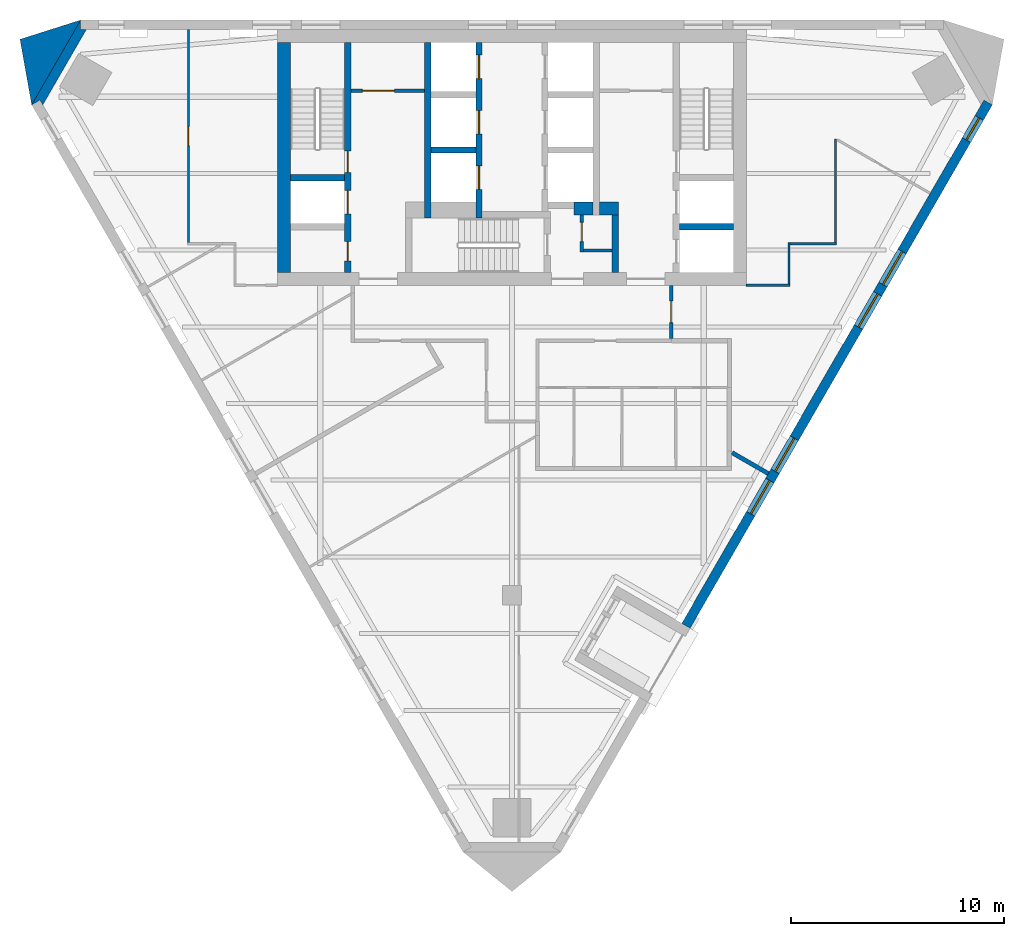
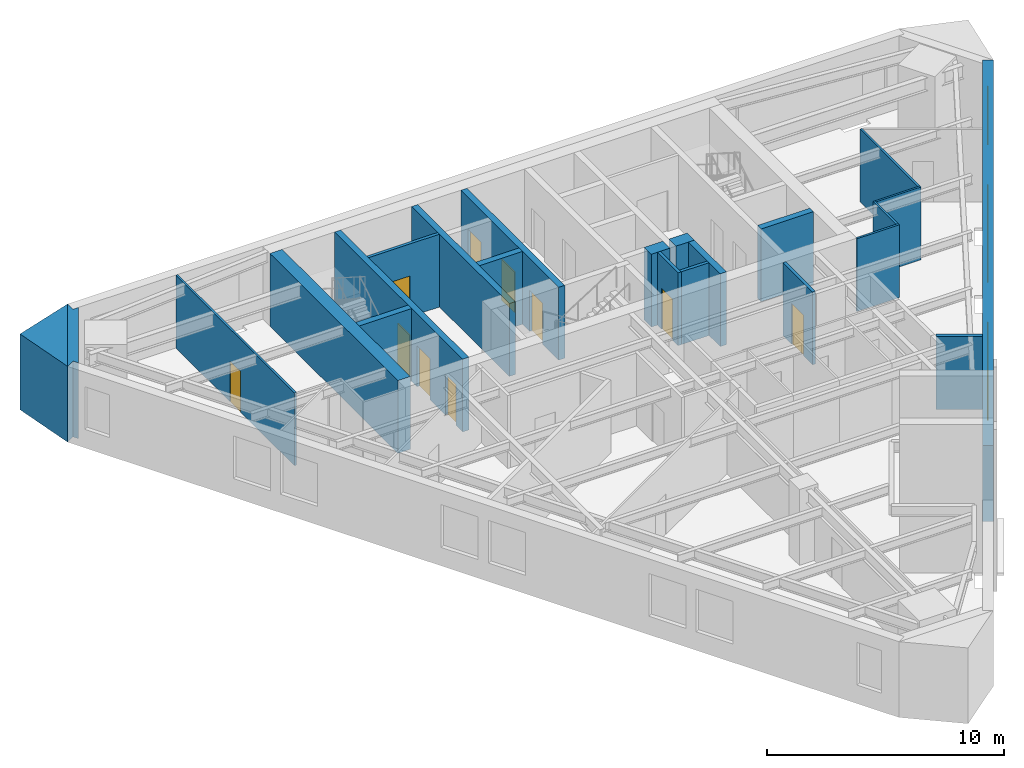
# One storey, part 4 of 7: 23 walls, 10 doors, 5 windows, 15 openings.
"""IFC4 building model written with IfcOpenShell, lengths in metres."""

from ifc_helpers import new_model, si_unit, direction, frame, frame_2d, origin, place, context, subcontext, project, spatial, polyline, rectangle, outline, extrude, material, layer, layer_set, type_object, element, fill, save


model = new_model("IFC4")

# Units and contexts
model_context = context("Model", 3, precision=1e-05, world=origin(), true_north=direction((0.0, 1.0)))
body_context = subcontext(model_context, "Body", "Model", "MODEL_VIEW")
ifc_project = project(units=[si_unit("LENGTHUNIT", "METRE"), si_unit("AREAUNIT", "SQUARE_METRE"), si_unit("VOLUMEUNIT", "CUBIC_METRE"), si_unit("PLANEANGLEUNIT", "RADIAN"), si_unit("MASSUNIT", "GRAM", prefix="KILO")], contexts=[model_context])

# Site, building, storey
site_placement = place(None, origin())
site = spatial("IfcSite", under=ifc_project, at=site_placement, CompositionType="ELEMENT")
building_placement = place(site_placement, origin())
building = spatial("IfcBuilding", under=site, at=building_placement, Name="Aloe Facet Convention Tower", CompositionType="ELEMENT")
storey_placement = place(building_placement, frame((0.0, 0.0, 163.699951171875)))
storey = spatial("IfcBuildingStorey", under=building, at=storey_placement, Name="L41", CompositionType="ELEMENT", Elevation=163.699951171875)

# Wall, opening, door
ifc_material_1 = material(Name="Concrete blockwork partition", Category="masonry")
ifc_layer_1 = layer(ifc_material_1, 0.14990234375)
ifc_layer_set_1 = layer_set([ifc_layer_1], Name="CR-W-PART150")
wall_type_1 = type_object("IfcWallType", Name="CR-W-PART150", PredefinedType="PARTITIONING", material=ifc_layer_set_1)
wall_1_placement = place(storey_placement, frame((72.449951171875, 131.675048828125, 0.0), z_axis=(0.0, 0.0, 1.0), x_axis=(1.0, 0.0, 0.0)))
wall_1 = element("IfcWall", 1, at=wall_1_placement, inside=storey, type_object=wall_type_1, Name="Core partition L41-007", PredefinedType="PARTITIONING", context=body_context, shape_type="SweptSolid", body=[
    extrude(rectangle(XDim=3.449951171875, YDim=0.14990234375, at=frame_2d((1.72509765625, 0.0))), origin(), (0.0, 0.0, 1.0), 3.75),
])
opening_1_placement = place(wall_1_placement, frame((0.52490234375, 0.0, 0.0)))
opening_1 = element("IfcOpeningElement", 2, at=opening_1_placement, cuts=wall_1, Name="Opening L41-CD14", PredefinedType="OPENING", context=body_context, shape_type="SweptSolid", body=[
    extrude(rectangle(XDim=1.5, YDim=2.10009765625, at=frame_2d((0.75, 1.050048828125))), frame((0.0, 0.0849609375, 0.0), z_axis=(0.0, -1.0, 0.0), x_axis=(1.0, 0.0, 0.0)), (0.0, 0.0, 1.0), 0.169921875),
])
ifc_material_2 = material(Name="Steel fire-resisting door set FD60", Category="steel")
door_type_1 = type_object("IfcDoorType", Name="CR-D-REFUGE-1500-FD60-DD", OperationType="DOUBLE_DOOR_DOUBLE_SWING", PredefinedType="DOOR", material=ifc_material_2)
door_1_placement = place(opening_1_placement, origin())
door_1 = element("IfcDoor", 3, at=door_1_placement, inside=storey, type_object=door_type_1, Name="Core door L41-CD14", OperationType="DOUBLE_DOOR_DOUBLE_SWING", OverallHeight=2.10009765625, OverallWidth=1.5, PredefinedType="DOOR", context=body_context, shape_type="SweptSolid", body=[
    extrude(rectangle(XDim=1.5, YDim=2.10009765625, at=frame_2d((0.75, 1.050048828125))), frame((0.0, 0.02490234375, 0.0), z_axis=(0.0, -1.0, 0.0), x_axis=(1.0, 0.0, 0.0)), (0.0, 0.0, 1.0), 0.050048828125),
])
fill(opening_1, door_1)

wall_2_placement = place(storey_placement, frame((83.27490234375, 125.85009765625, 0.0), z_axis=(0.0, 0.0, 1.0), x_axis=(0.0, -1.0, 0.0)))
wall_2 = element("IfcWall", 4, at=wall_2_placement, inside=storey, type_object=wall_type_1, Name="Core partition L41-022", PredefinedType="PARTITIONING", context=body_context, shape_type="SweptSolid", body=[
    extrude(rectangle(XDim=1.75, YDim=0.14990234375, at=frame_2d((0.875, 0.0))), origin(), (0.0, 0.0, 1.0), 3.75),
])
opening_2_placement = place(wall_2_placement, frame((0.35009765625, 0.0, 0.0)))
opening_2 = element("IfcOpeningElement", 5, at=opening_2_placement, cuts=wall_2, Name="Opening L41-CD12", PredefinedType="OPENING", context=body_context, shape_type="SweptSolid", body=[
    extrude(rectangle(XDim=0.89990234375, YDim=2.10009765625, at=frame_2d((0.449951171875, 1.050048828125))), frame((0.0, 0.0849609375, 0.0), z_axis=(0.0, -1.0, 0.0), x_axis=(1.0, 0.0, 0.0)), (0.0, 0.0, 1.0), 0.169921875),
])
ifc_material_3 = material(Name="Steel fire-resisting door set FD60", Category="steel")
door_type_2 = type_object("IfcDoorType", Name="CR-D-REFUGE-900-FD60-SRIGHT", OperationType="SINGLE_SWING_RIGHT", PredefinedType="DOOR", material=ifc_material_3)
door_2_placement = place(opening_2_placement, origin())
door_2 = element("IfcDoor", 6, at=door_2_placement, inside=storey, type_object=door_type_2, Name="Core door L41-CD12", OperationType="SINGLE_SWING_RIGHT", OverallHeight=2.10009765625, OverallWidth=0.89990234375, PredefinedType="DOOR", context=body_context, shape_type="SweptSolid", body=[
    extrude(rectangle(XDim=0.89990234375, YDim=2.10009765625, at=frame_2d((0.449951171875, 1.050048828125))), frame((0.0, 0.02490234375, 0.0), z_axis=(0.0, -1.0, 0.0), x_axis=(1.0, 0.0, 0.0)), (0.0, 0.0, 1.0), 0.050048828125),
])
fill(opening_2, door_2)

# Walls
wall_3_placement = place(storey_placement, frame((83.35009765625, 124.175048828125, 0.0), z_axis=(0.0, 0.0, 1.0), x_axis=(1.0, 0.0, 0.0)))
element("IfcWall", 7, at=wall_3_placement, inside=storey, type_object=wall_type_1, Name="Core partition L41-023", PredefinedType="PARTITIONING", context=body_context, shape_type="SweptSolid", body=[
    extrude(rectangle(XDim=1.349853515625, YDim=0.14990234375, at=frame_2d((0.6748046875, 0.0))), origin(), (0.0, 0.0, 1.0), 3.75),
])
ifc_material_4 = material(Name="Concrete C60/75", Category="concrete")
ifc_layer_2 = layer(ifc_material_4, 0.300048828125)
ifc_layer_set_2 = layer_set([ifc_layer_2], Name="CR-W-RC300-C6075")
wall_type_2 = type_object("IfcWallType", Name="CR-W-RC300-C6075", PredefinedType="SOLIDWALL", material=ifc_layer_set_2)
wall_4_placement = place(storey_placement, frame((69.60009765625, 127.60009765625, 0.0), z_axis=(0.0, 0.0, 1.0), x_axis=(1.0, 0.0, 0.0)))
element("IfcWall", 8, at=wall_4_placement, inside=storey, type_object=wall_type_2, Name="Core wall L41-004", PredefinedType="SOLIDWALL", context=body_context, shape_type="SweptSolid", body=[
    extrude(rectangle(XDim=2.5498046875, YDim=0.300048828125, at=frame_2d((1.27490234375, 0.0))), origin(), (0.0, 0.0, 1.0), 3.75),
])

# Wall, openings, doors
wall_5_placement = place(storey_placement, frame((72.300048828125, 133.949951171875, 0.0), z_axis=(0.0, 0.0, 1.0), x_axis=(0.0, -1.0, 0.0)))
wall_5 = element("IfcWall", 9, at=wall_5_placement, inside=storey, type_object=wall_type_2, Name="Core wall L41-006", PredefinedType="SOLIDWALL", context=body_context, shape_type="SweptSolid", body=[
    extrude(rectangle(XDim=10.800048828125, YDim=0.300048828125, at=frame_2d((5.39990234375, 0.0))), origin(), (0.0, 0.0, 1.0), 3.75),
])
opening_3_placement = place(wall_5_placement, frame((6.949951171875, 0.0, 0.0)))
opening_3 = element("IfcOpeningElement", 10, at=opening_3_placement, cuts=wall_5, Name="Opening LD-FF1-L41", PredefinedType="OPENING", context=body_context, shape_type="SweptSolid", body=[
    extrude(rectangle(XDim=1.10009765625, YDim=2.10009765625, at=frame_2d((0.550048828125, 1.050048828125))), frame((0.0, 0.16015625, 0.0), z_axis=(0.0, -1.0, 0.0), x_axis=(1.0, 0.0, 0.0)), (0.0, 0.0, 1.0), 0.320068359375),
])
opening_4_placement = place(wall_5_placement, frame((9.35009765625, 0.0, 0.0)))
opening_4 = element("IfcOpeningElement", 11, at=opening_4_placement, cuts=wall_5, Name="Opening L41-CD15", PredefinedType="OPENING", context=body_context, shape_type="SweptSolid", body=[
    extrude(rectangle(XDim=0.89990234375, YDim=2.10009765625, at=frame_2d((0.449951171875, 1.050048828125))), frame((0.0, 0.16015625, 0.0), z_axis=(0.0, -1.0, 0.0), x_axis=(1.0, 0.0, 0.0)), (0.0, 0.0, 1.0), 0.320068359375),
])
opening_5_placement = place(wall_5_placement, frame((5.10009765625, 0.0, 0.0)))
opening_5 = element("IfcOpeningElement", 12, at=opening_5_placement, cuts=wall_5, Name="Opening L41-CD16", PredefinedType="OPENING", context=body_context, shape_type="SweptSolid", body=[
    extrude(rectangle(XDim=1.0, YDim=2.10009765625, at=frame_2d((0.5, 1.050048828125))), frame((0.0, 0.16015625, 0.0), z_axis=(0.0, -1.0, 0.0), x_axis=(1.0, 0.0, 0.0)), (0.0, 0.0, 1.0), 0.320068359375),
])
ifc_material_5 = material(Name="Steel fire-resisting door set FD60", Category="steel")
door_type_3 = type_object("IfcDoorType", Name="CR-D-ROOM-900-FD60-SLEFT", OperationType="SINGLE_SWING_LEFT", PredefinedType="DOOR", material=ifc_material_5)
door_3_placement = place(opening_4_placement, origin())
door_3 = element("IfcDoor", 13, at=door_3_placement, inside=storey, type_object=door_type_3, Name="Core door L41-CD15", OperationType="SINGLE_SWING_LEFT", OverallHeight=2.10009765625, OverallWidth=0.89990234375, PredefinedType="DOOR", context=body_context, shape_type="SweptSolid", body=[
    extrude(rectangle(XDim=0.89990234375, YDim=2.10009765625, at=frame_2d((0.449951171875, 1.050048828125))), frame((0.0, 0.02490234375, 0.0), z_axis=(0.0, -1.0, 0.0), x_axis=(1.0, 0.0, 0.0)), (0.0, 0.0, 1.0), 0.050048828125),
])
fill(opening_4, door_3)
ifc_material_6 = material(Name="Steel fire-resisting door set FD120", Category="steel")
door_type_4 = type_object("IfcDoorType", Name="CR-D-STAIR-1000-FD120-SRIGHT", OperationType="SINGLE_SWING_RIGHT", PredefinedType="DOOR", material=ifc_material_6)
door_4_placement = place(opening_5_placement, origin())
door_4 = element("IfcDoor", 14, at=door_4_placement, inside=storey, type_object=door_type_4, Name="Core door L41-CD16", OperationType="SINGLE_SWING_RIGHT", OverallHeight=2.10009765625, OverallWidth=1.0, PredefinedType="DOOR", context=body_context, shape_type="SweptSolid", body=[
    extrude(rectangle(XDim=1.0, YDim=2.10009765625, at=frame_2d((0.5, 1.050048828125))), frame((0.0, 0.02490234375, 0.0), z_axis=(0.0, -1.0, 0.0), x_axis=(1.0, 0.0, 0.0)), (0.0, 0.0, 1.0), 0.050048828125),
])
fill(opening_5, door_4)
ifc_material_7 = material(Name="Stainless steel sliding landing door", Category="steel")
door_type_5 = type_object("IfcDoorType", Name="CR-LD-1100-FD120-_LEFT", OperationType="SLIDING_TO_LEFT", PredefinedType="DOOR", material=ifc_material_7)
door_5_placement = place(opening_3_placement, origin())
door_5 = element("IfcDoor", 15, at=door_5_placement, inside=storey, type_object=door_type_5, Name="Landing door FF1 L41", OperationType="SLIDING_TO_LEFT", OverallHeight=2.10009765625, OverallWidth=1.10009765625, PredefinedType="DOOR", context=body_context, shape_type="SweptSolid", body=[
    extrude(rectangle(XDim=1.10009765625, YDim=2.10009765625, at=frame_2d((0.550048828125, 1.050048828125))), frame((0.0, 0.02490234375, 0.0), z_axis=(0.0, -1.0, 0.0), x_axis=(1.0, 0.0, 0.0)), (0.0, 0.0, 1.0), 0.050048828125),
])
fill(opening_3, door_5)

# Walls
wall_6_placement = place(storey_placement, frame((76.050048828125, 133.949951171875, 0.0), z_axis=(0.0, 0.0, 1.0), x_axis=(0.0, -1.0, 0.0)))
element("IfcWall", 16, at=wall_6_placement, inside=storey, type_object=wall_type_2, Name="Core wall L41-010", PredefinedType="SOLIDWALL", context=body_context, shape_type="SweptSolid", body=[
    extrude(rectangle(XDim=8.25, YDim=0.300048828125, at=frame_2d((4.125, 0.0))), origin(), (0.0, 0.0, 1.0), 3.75),
])
wall_7_placement = place(storey_placement, frame((76.199951171875, 128.89990234375, 0.0), z_axis=(0.0, 0.0, 1.0), x_axis=(1.0, 0.0, 0.0)))
element("IfcWall", 17, at=wall_7_placement, inside=storey, type_object=wall_type_2, Name="Core wall L41-012", PredefinedType="SOLIDWALL", context=body_context, shape_type="SweptSolid", body=[
    extrude(rectangle(XDim=2.10009765625, YDim=0.300048828125, at=frame_2d((1.050048828125, 0.0))), origin(), (0.0, 0.0, 1.0), 3.75),
])

# Wall, openings, doors
wall_8_placement = place(storey_placement, frame((78.449951171875, 133.949951171875, 0.0), z_axis=(0.0, 0.0, 1.0), x_axis=(0.0, -1.0, 0.0)))
wall_8 = element("IfcWall", 18, at=wall_8_placement, inside=storey, type_object=wall_type_2, Name="Core wall L41-014", PredefinedType="SOLIDWALL", context=body_context, shape_type="SweptSolid", body=[
    extrude(rectangle(XDim=8.25, YDim=0.300048828125, at=frame_2d((4.125, 0.0))), origin(), (0.0, 0.0, 1.0), 3.75),
])
opening_6_placement = place(wall_8_placement, frame((0.60009765625, 0.0, 0.0)))
opening_6 = element("IfcOpeningElement", 19, at=opening_6_placement, cuts=wall_8, Name="Opening LD-B1-L41", PredefinedType="OPENING", context=body_context, shape_type="SweptSolid", body=[
    extrude(rectangle(XDim=1.10009765625, YDim=2.10009765625, at=frame_2d((0.550048828125, 1.050048828125))), frame((0.0, 0.16015625, 0.0), z_axis=(0.0, -1.0, 0.0), x_axis=(1.0, 0.0, 0.0)), (0.0, 0.0, 1.0), 0.320068359375),
])
opening_7_placement = place(wall_8_placement, frame((3.199951171875, 0.0, 0.0)))
opening_7 = element("IfcOpeningElement", 20, at=opening_7_placement, cuts=wall_8, Name="Opening LD-B2-L41", PredefinedType="OPENING", context=body_context, shape_type="SweptSolid", body=[
    extrude(rectangle(XDim=1.10009765625, YDim=2.10009765625, at=frame_2d((0.550048828125, 1.050048828125))), frame((0.0, 0.16015625, 0.0), z_axis=(0.0, -1.0, 0.0), x_axis=(1.0, 0.0, 0.0)), (0.0, 0.0, 1.0), 0.320068359375),
])
opening_8_placement = place(wall_8_placement, frame((5.800048828125, 0.0, 0.0)))
opening_8 = element("IfcOpeningElement", 21, at=opening_8_placement, cuts=wall_8, Name="Opening LD-B3-L41", PredefinedType="OPENING", context=body_context, shape_type="SweptSolid", body=[
    extrude(rectangle(XDim=1.10009765625, YDim=2.10009765625, at=frame_2d((0.550048828125, 1.050048828125))), frame((0.0, 0.16015625, 0.0), z_axis=(0.0, -1.0, 0.0), x_axis=(1.0, 0.0, 0.0)), (0.0, 0.0, 1.0), 0.320068359375),
])
ifc_material_8 = material(Name="Stainless steel sliding landing door", Category="steel")
door_type_6 = type_object("IfcDoorType", Name="CR-LD-1100-FD60-RIGHT", OperationType="SLIDING_TO_RIGHT", PredefinedType="DOOR", material=ifc_material_8)
door_6_placement = place(opening_6_placement, origin())
door_6 = element("IfcDoor", 22, at=door_6_placement, inside=storey, type_object=door_type_6, Name="Landing door B1 L41", OperationType="SLIDING_TO_RIGHT", OverallHeight=2.10009765625, OverallWidth=1.10009765625, PredefinedType="DOOR", context=body_context, shape_type="SweptSolid", body=[
    extrude(rectangle(XDim=1.10009765625, YDim=2.10009765625, at=frame_2d((0.550048828125, 1.050048828125))), frame((0.0, 0.02490234375, 0.0), z_axis=(0.0, -1.0, 0.0), x_axis=(1.0, 0.0, 0.0)), (0.0, 0.0, 1.0), 0.050048828125),
])
fill(opening_6, door_6)
door_7_placement = place(opening_7_placement, origin())
door_7 = element("IfcDoor", 23, at=door_7_placement, inside=storey, type_object=door_type_6, Name="Landing door B2 L41", OperationType="SLIDING_TO_RIGHT", OverallHeight=2.10009765625, OverallWidth=1.10009765625, PredefinedType="DOOR", context=body_context, shape_type="SweptSolid", body=[
    extrude(rectangle(XDim=1.10009765625, YDim=2.10009765625, at=frame_2d((0.550048828125, 1.050048828125))), frame((0.0, 0.02490234375, 0.0), z_axis=(0.0, -1.0, 0.0), x_axis=(1.0, 0.0, 0.0)), (0.0, 0.0, 1.0), 0.050048828125),
])
fill(opening_7, door_7)
door_8_placement = place(opening_8_placement, origin())
door_8 = element("IfcDoor", 24, at=door_8_placement, inside=storey, type_object=door_type_6, Name="Landing door B3 L41", OperationType="SLIDING_TO_RIGHT", OverallHeight=2.10009765625, OverallWidth=1.10009765625, PredefinedType="DOOR", context=body_context, shape_type="SweptSolid", body=[
    extrude(rectangle(XDim=1.10009765625, YDim=2.10009765625, at=frame_2d((0.550048828125, 1.050048828125))), frame((0.0, 0.02490234375, 0.0), z_axis=(0.0, -1.0, 0.0), x_axis=(1.0, 0.0, 0.0)), (0.0, 0.0, 1.0), 0.050048828125),
])
fill(opening_8, door_8)

# Walls
wall_9_placement = place(storey_placement, frame((84.85009765625, 125.85009765625, 0.0), z_axis=(0.0, 0.0, 1.0), x_axis=(0.0, -1.0, 0.0)))
element("IfcWall", 25, at=wall_9_placement, inside=storey, type_object=wall_type_2, Name="Core wall L41-027", PredefinedType="SOLIDWALL", context=body_context, shape_type="SweptSolid", body=[
    extrude(rectangle(XDim=2.7001953125, YDim=0.300048828125, at=frame_2d((1.35009765625, 0.0))), origin(), (0.0, 0.0, 1.0), 3.75),
])
wall_10_placement = place(storey_placement, frame((87.85009765625, 125.300048828125, 0.0), z_axis=(0.0, 0.0, 1.0), x_axis=(1.0, 0.0, 0.0)))
element("IfcWall", 26, at=wall_10_placement, inside=storey, type_object=wall_type_2, Name="Core wall L41-030", PredefinedType="SOLIDWALL", context=body_context, shape_type="SweptSolid", body=[
    extrude(rectangle(XDim=2.5498046875, YDim=0.300048828125, at=frame_2d((1.27490234375, 0.0))), origin(), (0.0, 0.0, 1.0), 3.75),
])
ifc_material_9 = material(Name="Concrete C60/75", Category="concrete")
ifc_layer_3 = layer(ifc_material_9, 0.60009765625)
ifc_layer_set_3 = layer_set([ifc_layer_3], Name="CR-W-RC600-C6075")
wall_type_3 = type_object("IfcWallType", Name="CR-W-RC600-C6075", PredefinedType="SOLIDWALL", material=ifc_layer_set_3)
wall_11_placement = place(storey_placement, frame((69.300048828125, 133.949951171875, 0.0), z_axis=(0.0, 0.0, 1.0), x_axis=(0.0, -1.0, 0.0)))
element("IfcWall", 27, at=wall_11_placement, inside=storey, type_object=wall_type_3, Name="Core wall L41-002", PredefinedType="SOLIDWALL", context=body_context, shape_type="SweptSolid", body=[
    extrude(rectangle(XDim=10.800048828125, YDim=0.60009765625, at=frame_2d((5.39990234375, 0.0))), origin(), (0.0, 0.0, 1.0), 3.75),
])
wall_12_placement = place(storey_placement, frame((82.89990234375, 126.14990234375, 0.0), z_axis=(0.0, 0.0, 1.0), x_axis=(1.0, 0.0, 0.0)))
element("IfcWall", 28, at=wall_12_placement, inside=storey, type_object=wall_type_3, Name="Core wall L41-021", PredefinedType="SOLIDWALL", context=body_context, shape_type="SweptSolid", body=[
    extrude(rectangle(XDim=0.900146484375, YDim=0.60009765625, at=frame_2d((0.4501953125, 0.0))), origin(), (0.0, 0.0, 1.0), 3.75),
])
wall_13_placement = place(storey_placement, frame((84.10009765625, 126.14990234375, 0.0), z_axis=(0.0, 0.0, 1.0), x_axis=(1.0, 0.0, 0.0)))
element("IfcWall", 29, at=wall_13_placement, inside=storey, type_object=wall_type_3, Name="Core wall L41-026", PredefinedType="SOLIDWALL", context=body_context, shape_type="SweptSolid", body=[
    extrude(rectangle(XDim=0.89990234375, YDim=0.60009765625, at=frame_2d((0.449951171875, 0.0))), origin(), (0.0, 0.0, 1.0), 3.75),
])
ifc_material_10 = material(Name="Precast concrete C40/50", Category="concrete")
ifc_layer_4 = layer(ifc_material_10, 0.449951171875)
ifc_layer_set_4 = layer_set([ifc_layer_4], Name="EV-WALL-PIER")
wall_type_4 = type_object("IfcWallType", Name="EV-WALL-PIER", PredefinedType="SOLIDWALL", material=ifc_layer_set_4)
wall_14_placement = place(storey_placement, frame((0.0, 0.0, -0.14990234375)))
element("IfcWall", 30, at=wall_14_placement, inside=storey, type_object=wall_type_4, Name="EP-L41-A", PredefinedType="SOLIDWALL", context=body_context, shape_type="SweptSolid", body=[
    extrude(outline(polyline([(59.7568359375, 135.0), (59.7568359375, 134.550048828125), (60.016845703125, 134.550048828125), (57.9765625, 131.016357421875), (57.8466796875, 131.2412109375), (57.45703125, 131.016357421875), (59.7568359375, 135.0)])), origin(), (0.0, 0.0, 1.0), 3.89990234375),
])
ifc_material_11 = material(Name="Precast concrete C40/50", Category="concrete")
ifc_layer_5 = layer(ifc_material_11, 3.947998046875)
ifc_layer_set_5 = layer_set([ifc_layer_5], Name="EV-WALL-SPINE")
wall_type_5 = type_object("IfcWallType", Name="EV-WALL-SPINE", PredefinedType="SOLIDWALL", material=ifc_layer_set_5)
wall_15_placement = place(storey_placement, frame((0.0, 0.0, -0.14990234375)))
element("IfcWall", 31, at=wall_15_placement, inside=storey, type_object=wall_type_5, Name="SP-NW-L41", PredefinedType="SOLIDWALL", context=body_context, shape_type="SweptSolid", body=[
    extrude(outline(polyline([(59.7568359375, 135.0), (56.90771484375, 134.0927734375), (57.45703125, 131.016357421875), (59.7568359375, 135.0)])), origin(), (0.0, 0.0, 1.0), 3.89990234375),
])

# Wall, openings, windows
ifc_material_12 = material(Name="Precast concrete C40/50", Category="concrete")
ifc_layer_6 = layer(ifc_material_12, 0.449951171875)
ifc_layer_set_6 = layer_set([ifc_layer_6], Name="EV-WALL-STONE")
wall_type_6 = type_object("IfcWallType", Name="EV-WALL-STONE", PredefinedType="SOLIDWALL", material=ifc_layer_set_6)
wall_16_placement = place(storey_placement, frame((88.166015625, 106.564208984375, -0.14990234375), z_axis=(0.0, 0.0, 1.0), x_axis=(0.499995644604, 0.866027918359, 0.0)))
wall_16 = element("IfcWall", 32, at=wall_16_placement, inside=storey, type_object=wall_type_6, Name="EW-L41-E02", PredefinedType="SOLIDWALL", context=body_context, shape_type="SweptSolid", body=[
    extrude(outline(polyline([(28.364501953125, 3.89990234375), (28.364501953125, 0.0), (0.0, 0.0), (0.0, 3.89990234375), (28.364501953125, 3.89990234375)])), frame((0.0, 0.22509765625, 0.0), z_axis=(0.0, -1.0, 0.0), x_axis=(1.0, 0.0, 0.0)), (0.0, 0.0, 1.0), 0.449951171875),
])
opening_9_placement = place(wall_16_placement, frame((6.071533203125, 0.0, 0.949951171875)))
opening_9 = element("IfcOpeningElement", 33, at=opening_9_placement, cuts=wall_16, Name="Opening W-L41-E02", PredefinedType="OPENING", context=body_context, shape_type="SweptSolid", body=[
    extrude(rectangle(XDim=1.800048828125, YDim=2.199951171875, at=frame_2d((0.89990234375, 1.10009765625))), frame((0.0, 0.23486328125, 0.0), z_axis=(0.0, -1.0, 0.0), x_axis=(1.0, 0.0, 0.0)), (0.0, 0.0, 1.0), 0.469970703125),
])
opening_10_placement = place(wall_16_placement, frame((8.37158203125, 0.0, 0.949951171875)))
opening_10 = element("IfcOpeningElement", 34, at=opening_10_placement, cuts=wall_16, Name="Opening W-L41-E03", PredefinedType="OPENING", context=body_context, shape_type="SweptSolid", body=[
    extrude(rectangle(XDim=1.800048828125, YDim=2.199951171875, at=frame_2d((0.89990234375, 1.10009765625))), frame((0.0, 0.23486328125, 0.0), z_axis=(0.0, -1.0, 0.0), x_axis=(1.0, 0.0, 0.0)), (0.0, 0.0, 1.0), 0.469970703125),
])
opening_11_placement = place(wall_16_placement, frame((16.193115234375, 0.0, 0.949951171875)))
opening_11 = element("IfcOpeningElement", 35, at=opening_11_placement, cuts=wall_16, Name="Opening W-L41-E04", PredefinedType="OPENING", context=body_context, shape_type="SweptSolid", body=[
    extrude(rectangle(XDim=1.800048828125, YDim=2.199951171875, at=frame_2d((0.89990234375, 1.10009765625))), frame((0.0, 0.23486328125, 0.0), z_axis=(0.0, -1.0, 0.0), x_axis=(1.0, 0.0, 0.0)), (0.0, 0.0, 1.0), 0.469970703125),
])
opening_12_placement = place(wall_16_placement, frame((18.4931640625, 0.0, 0.949951171875)))
opening_12 = element("IfcOpeningElement", 36, at=opening_12_placement, cuts=wall_16, Name="Opening W-L41-E05", PredefinedType="OPENING", context=body_context, shape_type="SweptSolid", body=[
    extrude(rectangle(XDim=1.800048828125, YDim=2.199951171875, at=frame_2d((0.89990234375, 1.10009765625))), frame((0.0, 0.23486328125, 0.0), z_axis=(0.0, -1.0, 0.0), x_axis=(1.0, 0.0, 0.0)), (0.0, 0.0, 1.0), 0.469970703125),
])
opening_13_placement = place(wall_16_placement, frame((26.327392578125, 0.0, 0.949951171875)))
opening_13 = element("IfcOpeningElement", 37, at=opening_13_placement, cuts=wall_16, Name="Opening W-L41-E06", PredefinedType="OPENING", context=body_context, shape_type="SweptSolid", body=[
    extrude(rectangle(XDim=1.199951171875, YDim=2.199951171875, at=frame_2d((0.60009765625, 1.10009765625))), frame((0.0, 0.23486328125, 0.0), z_axis=(0.0, -1.0, 0.0), x_axis=(1.0, 0.0, 0.0)), (0.0, 0.0, 1.0), 0.469970703125),
])
ifc_material_13 = material(Name="Aluminium frame, clear double glazing", Category="aluminium")
window_type_1 = type_object("IfcWindowType", Name="EV-WIN-O12", PartitioningType="SINGLE_PANEL", PredefinedType="WINDOW", material=ifc_material_13)
window_1_placement = place(opening_13_placement, origin())
window_1 = element("IfcWindow", 38, at=window_1_placement, inside=storey, type_object=window_type_1, Name="W-L41-E06", OverallHeight=2.199951171875, OverallWidth=1.199951171875, PartitioningType="SINGLE_PANEL", PredefinedType="WINDOW", context=body_context, shape_type="SweptSolid", body=[
    extrude(rectangle(XDim=1.199951171875, YDim=2.199951171875, at=frame_2d((0.60009765625, 1.10009765625))), frame((0.0, 0.030029296875, 0.0), z_axis=(0.0, -1.0, 0.0), x_axis=(1.0, 0.0, 0.0)), (0.0, 0.0, 1.0), 0.06005859375),
])
fill(opening_13, window_1)
ifc_material_14 = material(Name="Aluminium frame, clear double glazing", Category="aluminium")
window_type_2 = type_object("IfcWindowType", Name="EV-WIN-O18", PartitioningType="SINGLE_PANEL", PredefinedType="WINDOW", material=ifc_material_14)
window_2_placement = place(opening_9_placement, origin())
window_2 = element("IfcWindow", 39, at=window_2_placement, inside=storey, type_object=window_type_2, Name="W-L41-E02", OverallHeight=2.199951171875, OverallWidth=1.800048828125, PartitioningType="SINGLE_PANEL", PredefinedType="WINDOW", context=body_context, shape_type="SweptSolid", body=[
    extrude(rectangle(XDim=1.800048828125, YDim=2.199951171875, at=frame_2d((0.89990234375, 1.10009765625))), frame((0.0, 0.030029296875, 0.0), z_axis=(0.0, -1.0, 0.0), x_axis=(1.0, 0.0, 0.0)), (0.0, 0.0, 1.0), 0.06005859375),
])
fill(opening_9, window_2)
window_3_placement = place(opening_10_placement, origin())
window_3 = element("IfcWindow", 40, at=window_3_placement, inside=storey, type_object=window_type_2, Name="W-L41-E03", OverallHeight=2.199951171875, OverallWidth=1.800048828125, PartitioningType="SINGLE_PANEL", PredefinedType="WINDOW", context=body_context, shape_type="SweptSolid", body=[
    extrude(rectangle(XDim=1.800048828125, YDim=2.199951171875, at=frame_2d((0.89990234375, 1.10009765625))), frame((0.0, 0.030029296875, 0.0), z_axis=(0.0, -1.0, 0.0), x_axis=(1.0, 0.0, 0.0)), (0.0, 0.0, 1.0), 0.06005859375),
])
fill(opening_10, window_3)
window_4_placement = place(opening_11_placement, origin())
window_4 = element("IfcWindow", 41, at=window_4_placement, inside=storey, type_object=window_type_2, Name="W-L41-E04", OverallHeight=2.199951171875, OverallWidth=1.800048828125, PartitioningType="SINGLE_PANEL", PredefinedType="WINDOW", context=body_context, shape_type="SweptSolid", body=[
    extrude(rectangle(XDim=1.800048828125, YDim=2.199951171875, at=frame_2d((0.89990234375, 1.10009765625))), frame((0.0, 0.030029296875, 0.0), z_axis=(0.0, -1.0, 0.0), x_axis=(1.0, 0.0, 0.0)), (0.0, 0.0, 1.0), 0.06005859375),
])
fill(opening_11, window_4)
window_5_placement = place(opening_12_placement, origin())
window_5 = element("IfcWindow", 42, at=window_5_placement, inside=storey, type_object=window_type_2, Name="W-L41-E05", OverallHeight=2.199951171875, OverallWidth=1.800048828125, PartitioningType="SINGLE_PANEL", PredefinedType="WINDOW", context=body_context, shape_type="SweptSolid", body=[
    extrude(rectangle(XDim=1.800048828125, YDim=2.199951171875, at=frame_2d((0.89990234375, 1.10009765625))), frame((0.0, 0.030029296875, 0.0), z_axis=(0.0, -1.0, 0.0), x_axis=(1.0, 0.0, 0.0)), (0.0, 0.0, 1.0), 0.06005859375),
])
fill(opening_12, window_5)

# Wall, opening, door
ifc_material_15 = material(Name="Gypsum board partition on steel studs", Category="steel")
ifc_layer_7 = layer(ifc_material_15, 0.14990234375)
ifc_layer_set_7 = layer_set([ifc_layer_7], Name="IN-W-CORR")
wall_type_7 = type_object("IfcWallType", Name="IN-W-CORR", PredefinedType="PARTITIONING", material=ifc_layer_set_7)
wall_17_placement = place(storey_placement, frame((87.47509765625, 120.050048828125, 0.0), z_axis=(0.0, 0.0, 1.0), x_axis=(0.0, 1.0, 0.0)))
wall_17 = element("IfcWall", 43, at=wall_17_placement, inside=storey, type_object=wall_type_7, Name="Partition L41-W037", PredefinedType="PARTITIONING", context=body_context, shape_type="SweptSolid", body=[
    extrude(rectangle(XDim=2.5, YDim=0.14990234375, at=frame_2d((1.25, 0.0))), origin(), (0.0, 0.0, 1.0), 3.75),
])
opening_14_placement = place(wall_17_placement, frame((0.75, 0.0, 0.0)))
opening_14 = element("IfcOpeningElement", 44, at=opening_14_placement, cuts=wall_17, Name="Opening L41-012", PredefinedType="OPENING", context=body_context, shape_type="SweptSolid", body=[
    extrude(rectangle(XDim=1.0, YDim=2.10009765625, at=frame_2d((0.5, 1.050048828125))), frame((0.0, 0.0849609375, 0.0), z_axis=(0.0, -1.0, 0.0), x_axis=(1.0, 0.0, 0.0)), (0.0, 0.0, 1.0), 0.169921875),
])
ifc_material_16 = material(Name="Timber door FD30S with vision panel", Category="wood")
door_type_7 = type_object("IfcDoorType", Name="IN-OFF-D-ENTRY", OperationType="SINGLE_SWING_LEFT", PredefinedType="DOOR", material=ifc_material_16)
door_9_placement = place(opening_14_placement, origin())
door_9 = element("IfcDoor", 45, at=door_9_placement, inside=storey, type_object=door_type_7, Name="Door L41-012", OperationType="SINGLE_SWING_LEFT", OverallHeight=2.10009765625, OverallWidth=1.0, PredefinedType="DOOR", context=body_context, shape_type="SweptSolid", body=[
    extrude(rectangle(XDim=1.0, YDim=2.10009765625, at=frame_2d((0.5, 1.050048828125))), frame((0.0, 0.02490234375, 0.0), z_axis=(0.0, -1.0, 0.0), x_axis=(1.0, 0.0, 0.0)), (0.0, 0.0, 1.0), 0.050048828125),
])
fill(opening_14, door_9)

# Walls
ifc_material_17 = material(Name="Gypsum board partition on steel studs", Category="steel")
ifc_layer_8 = layer(ifc_material_17, 0.10009765625)
ifc_layer_set_8 = layer_set([ifc_layer_8], Name="IN-W-PART")
wall_type_8 = type_object("IfcWallType", Name="IN-W-PART", PredefinedType="PARTITIONING", material=ifc_layer_set_8)
wall_18_placement = place(storey_placement, frame((90.990234375, 122.550048828125, 0.0), z_axis=(0.0, 0.0, 1.0), x_axis=(1.0, 0.0, 0.0)))
element("IfcWall", 46, at=wall_18_placement, inside=storey, type_object=wall_type_8, Name="Partition L41-W038", PredefinedType="PARTITIONING", context=body_context, shape_type="SweptSolid", body=[
    extrude(rectangle(XDim=2.0576171875, YDim=0.10009765625, at=frame_2d((1.02880859375, 0.0))), origin(), (0.0, 0.0, 1.0), 3.75),
])
wall_19_placement = place(storey_placement, frame((92.998046875, 122.60009765625, 0.0), z_axis=(0.0, 0.0, 1.0), x_axis=(0.001001752565, 0.999999498246, 0.0)))
element("IfcWall", 47, at=wall_19_placement, inside=storey, type_object=wall_type_8, Name="Partition L41-W039", PredefinedType="PARTITIONING", context=body_context, shape_type="SweptSolid", body=[
    extrude(rectangle(XDim=1.94970703125, YDim=0.10009765625, at=frame_2d((0.974853515625, 0.0))), origin(), (0.0, 0.0, 1.0), 3.75),
])
wall_20_placement = place(storey_placement, frame((93.050048828125, 124.5, 0.0), z_axis=(0.0, 0.0, 1.0), x_axis=(1.0, 0.0, 0.0)))
element("IfcWall", 48, at=wall_20_placement, inside=storey, type_object=wall_type_8, Name="Partition L41-W043", PredefinedType="PARTITIONING", context=body_context, shape_type="SweptSolid", body=[
    extrude(rectangle(XDim=2.1865234375, YDim=0.10009765625, at=frame_2d((1.09326171875, 0.0))), origin(), (0.0, 0.0, 1.0), 3.75),
])
wall_21_placement = place(storey_placement, frame((95.1865234375, 124.550048828125, 0.0), z_axis=(0.0, 0.0, 1.0), x_axis=(0.000450630837, 0.999999898466, 0.0)))
element("IfcWall", 49, at=wall_21_placement, inside=storey, type_object=wall_type_8, Name="Partition L41-W044", PredefinedType="PARTITIONING", context=body_context, shape_type="SweptSolid", body=[
    extrude(rectangle(XDim=4.8759765625, YDim=0.10009765625, at=frame_2d((2.43798828125, 0.0))), origin(), (0.0, 0.0, 1.0), 3.75),
])

# Wall, opening, door
wall_22_placement = place(storey_placement, frame((64.813232421875, 124.550048828125, 0.0), z_axis=(0.0, 0.0, 1.0), x_axis=(-0.000195312496, 0.999999980927, 0.0)))
wall_22 = element("IfcWall", 50, at=wall_22_placement, inside=storey, type_object=wall_type_8, Name="Partition L41-W046", PredefinedType="PARTITIONING", context=body_context, shape_type="SweptSolid", body=[
    extrude(rectangle(XDim=10.0, YDim=0.10009765625, at=frame_2d((5.0, 0.0))), origin(), (0.0, 0.0, 1.0), 3.75),
])
opening_15_placement = place(wall_22_placement, frame((4.550048828125, 0.0, 0.0)))
opening_15 = element("IfcOpeningElement", 51, at=opening_15_placement, cuts=wall_22, Name="Opening L41-008", PredefinedType="OPENING", context=body_context, shape_type="SweptSolid", body=[
    extrude(rectangle(XDim=0.89990234375, YDim=2.10009765625, at=frame_2d((0.449951171875, 1.050048828125))), frame((0.0, 0.06005859375, 0.0), z_axis=(0.0, -1.0, 0.0), x_axis=(1.0, 0.0, 0.0)), (0.0, 0.0, 1.0), 0.1201171875),
])
ifc_material_18 = material(Name="Timber door", Category="wood")
door_type_8 = type_object("IfcDoorType", Name="IN-OFF-D-ROOM", OperationType="SINGLE_SWING_LEFT", PredefinedType="DOOR", material=ifc_material_18)
door_10_placement = place(opening_15_placement, origin())
door_10 = element("IfcDoor", 52, at=door_10_placement, inside=storey, type_object=door_type_8, Name="Door L41-008", OperationType="SINGLE_SWING_LEFT", OverallHeight=2.10009765625, OverallWidth=0.89990234375, PredefinedType="DOOR", context=body_context, shape_type="SweptSolid", body=[
    extrude(rectangle(XDim=0.89990234375, YDim=2.10009765625, at=frame_2d((0.449951171875, 1.050048828125))), frame((0.0, 0.02490234375, 0.0), z_axis=(0.0, -1.0, 0.0), x_axis=(1.0, 0.0, 0.0)), (0.0, 0.0, 1.0), 0.050048828125),
])
fill(opening_15, door_10)

# Wall
ifc_material_19 = material(Name="Gypsum board partition on steel studs", Category="steel")
ifc_layer_9 = layer(ifc_material_19, 0.199951171875)
ifc_layer_set_9 = layer_set([ifc_layer_9], Name="IN-W-PARTY")
wall_type_9 = type_object("IfcWallType", Name="IN-W-PARTY", PredefinedType="PARTITIONING", material=ifc_layer_set_9)
wall_23_placement = place(storey_placement, frame((90.329833984375, 114.69287109375, 0.0), z_axis=(0.0, 0.0, 1.0), x_axis=(0.866009734793, -0.500027138508, 0.0)))
element("IfcWall", 53, at=wall_23_placement, inside=storey, type_object=wall_type_9, Name="Partition L41-W008", PredefinedType="PARTITIONING", context=body_context, shape_type="SweptSolid", body=[
    extrude(rectangle(XDim=1.96533203125, YDim=0.199951171875, at=frame_2d((0.982666015625, 0.0))), origin(), (0.0, 0.0, 1.0), 3.75),
])

save(model, "model.ifc")
